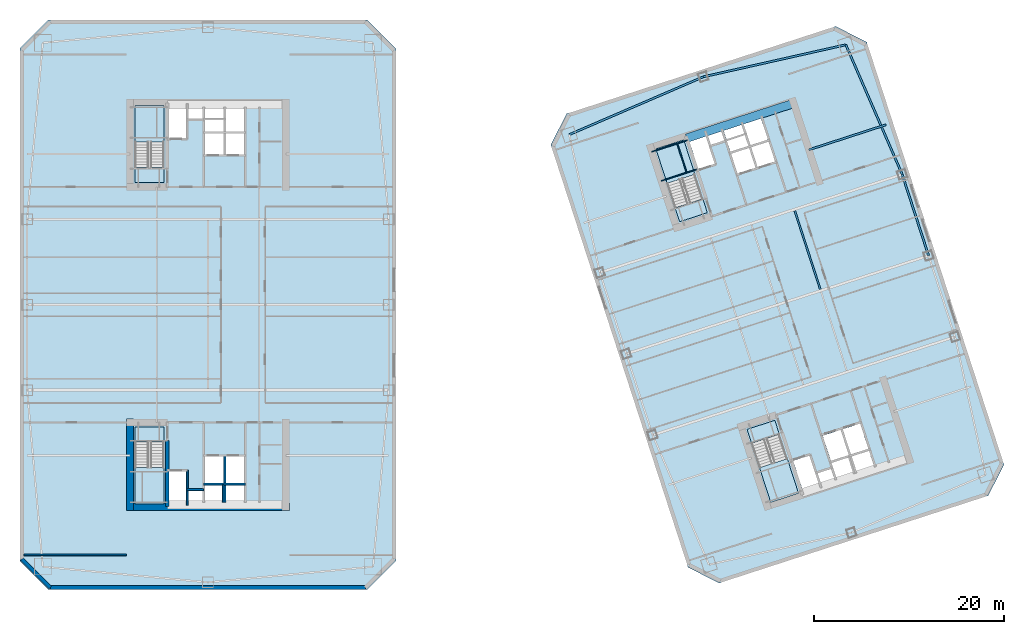
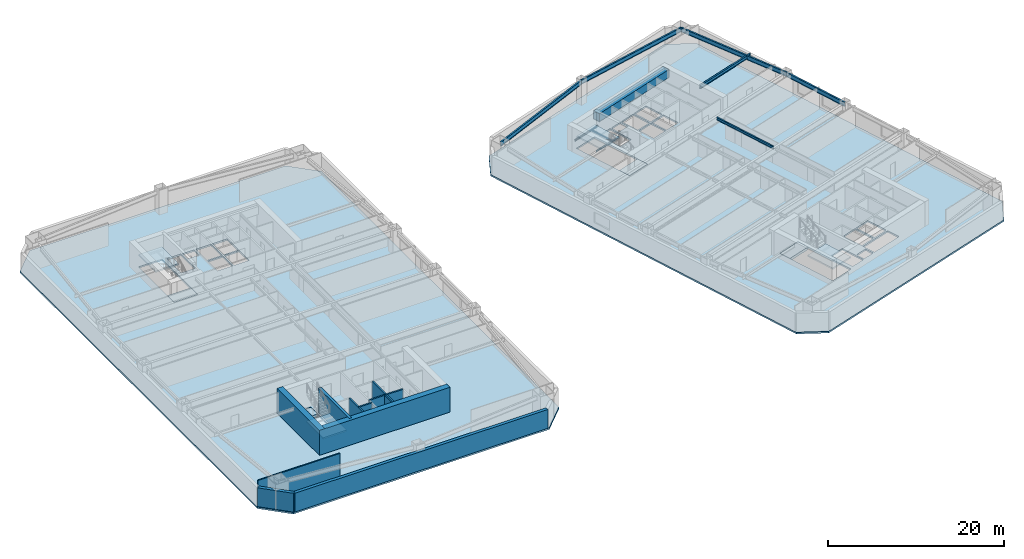
# One storey, part 4 of 13: 11 walls, 10 beams, 10 slabs, 4 elements without a shape of their own.
"""IFC4 building model written with IfcOpenShell, lengths in metres."""

from ifc_helpers import new_model, si_unit, direction, frame, frame_2d, origin, origin_2d, place, context, subcontext, project, spatial, polyline, rectangle, i_section, outline, extrude, material, layer, layer_set, material_profile, profile_set, type_object, element, aggregate, save


model = new_model("IFC4")

# Units and contexts
model_context = context("Model", 3, precision=1e-05, world=origin(), true_north=direction((0.0, 1.0)))
body_context = subcontext(model_context, "Body", "Model", "MODEL_VIEW")
ifc_project = project(units=[si_unit("LENGTHUNIT", "METRE"), si_unit("AREAUNIT", "SQUARE_METRE"), si_unit("VOLUMEUNIT", "CUBIC_METRE"), si_unit("PLANEANGLEUNIT", "RADIAN"), si_unit("MASSUNIT", "GRAM", prefix="KILO")], contexts=[model_context])

# Site, building, storey
site_placement = place(None, origin())
site = spatial("IfcSite", under=ifc_project, at=site_placement, CompositionType="ELEMENT")
building_placement = place(site_placement, origin())
building = spatial("IfcBuilding", under=site, at=building_placement, Name="Qiaolan Cultural Towers", CompositionType="ELEMENT")
storey_placement = place(building_placement, frame((0.0, 0.0, 85.10009765625)))
storey = spatial("IfcBuildingStorey", under=building, at=storey_placement, Name="L21", CompositionType="ELEMENT", Elevation=85.10009765625)

# Beams
ifc_material_1 = material(Name="Steel Q355B", Category="steel")
ifc_material_profile_1 = material_profile(ifc_material_1, i_section(OverallWidth=0.175048828125, OverallDepth=0.35009765625, WebThickness=0.007080078125, FlangeThickness=0.010986328125, at=origin_2d()), Name="HN350x175x7x11")
ifc_profile_set_1 = profile_set([ifc_material_profile_1], Name="Steel Q355B")
beam_type_1 = type_object("IfcBeamType", Name="BM-JST-HN350x175x7x11", PredefinedType="JOIST", material=ifc_profile_set_1)
beam_1_placement = place(storey_placement, frame((94.518798828125, 35.6259765625, 3.014892578125), z_axis=(-0.309020714809, 0.951055307445, 0.0), x_axis=(-0.951055307445, -0.309020714809, 0.0)))
element("IfcBeam", 1, at=beam_1_placement, inside=storey, type_object=beam_type_1, Name="L21 T2 Secondary Floor Joist U3-3", PredefinedType="JOIST", context=body_context, shape_type="SweptSolid", body=[
    extrude(i_section(OverallWidth=0.175048828125, OverallDepth=0.35009765625, WebThickness=0.007080078125, FlangeThickness=0.010986328125, at=origin_2d()), origin(), (0.0, 0.0, 1.0), 8.699951171875),
])
ifc_material_2 = material(Name="Steel Q355B", Category="steel")
ifc_material_profile_2 = material_profile(ifc_material_2, i_section(OverallWidth=0.199951171875, OverallDepth=0.449951171875, WebThickness=0.009033203125, FlangeThickness=0.013916015625, at=origin_2d()), Name="HN450x200x9x14")
ifc_profile_set_2 = profile_set([ifc_material_profile_2], Name="Steel Q355B")
beam_type_2 = type_object("IfcBeamType", Name="BM-LNT-HN450x200x9x14", PredefinedType="LINTEL", material=ifc_profile_set_2)
beam_2_placement = place(storey_placement, frame((93.31787109375, 50.32421875, 2.96484375), z_axis=(0.951057358187, 0.309014403287, 0.0), x_axis=(-0.309014403287, 0.951057358187, 0.0)))
element("IfcBeam", 2, at=beam_2_placement, inside=storey, type_object=beam_type_2, Name="L21 T2 Core Flank Tie Lintel EN", PredefinedType="LINTEL", context=body_context, shape_type="SweptSolid", body=[
    extrude(i_section(OverallWidth=0.199951171875, OverallDepth=0.449951171875, WebThickness=0.009033203125, FlangeThickness=0.013916015625, at=origin_2d()), origin(), (0.0, 0.0, 1.0), 8.550048828125),
])
ifc_material_3 = material(Name="Concrete C50", Category="concrete")
ifc_material_profile_3 = material_profile(ifc_material_3, rectangle(XDim=0.89990234375, YDim=1.10009765625, at=origin_2d()), Name="RC900x1100")
ifc_profile_set_3 = profile_set([ifc_material_profile_3], Name="Concrete C50")
beam_type_3 = type_object("IfcBeamType", Name="BM-RC900x1100", PredefinedType="BEAM", material=ifc_profile_set_3)
beam_3_placement = place(storey_placement, frame((80.427978515625, 51.551025390625, 2.639892578125), z_axis=(0.951056266386, 0.309017763514, 0.0), x_axis=(-0.309017763514, 0.951056266386, 0.0)))
element("IfcBeam", 3, at=beam_3_placement, inside=storey, type_object=beam_type_3, Name="L21 T2 Core Header Girder N", PredefinedType="BEAM", context=body_context, shape_type="SweptSolid", body=[
    extrude(rectangle(XDim=0.89990234375, YDim=1.10009765625, at=origin_2d()), origin(), (0.0, 0.0, 1.0), 11.880126953125),
])
ifc_material_4 = material(Name="Steel Q355B", Category="steel")
ifc_material_profile_4 = material_profile(ifc_material_4, i_section(OverallWidth=0.199951171875, OverallDepth=0.60009765625, WebThickness=0.010986328125, FlangeThickness=0.01708984375, at=origin_2d()), Name="HN600x200x11x17")
ifc_profile_set_4 = profile_set([ifc_material_profile_4], Name="Steel Q355B")
beam_type_4 = type_object("IfcBeamType", Name="BM-SPD-HN600x200x11x17", PredefinedType="SPANDREL", material=ifc_profile_set_4)
beam_4_placement = place(storey_placement, frame((105.93017578125, 39.176025390625, 2.889892578125), z_axis=(-0.309024734286, 0.951054001411, 0.0), x_axis=(-0.951054001411, -0.309024734286, 0.0)))
element("IfcBeam", 4, at=beam_4_placement, inside=storey, type_object=beam_type_4, Name="L21 T2 Perimeter Spandrel Beam 5", PredefinedType="SPANDREL", context=body_context, shape_type="SweptSolid", body=[
    extrude(i_section(OverallWidth=0.199951171875, OverallDepth=0.60009765625, WebThickness=0.010986328125, FlangeThickness=0.01708984375, at=origin_2d()), origin(), (0.0, 0.0, 1.0), 9.0),
])
beam_5_placement = place(storey_placement, frame((103.14892578125, 47.735595703125, 2.889892578125), z_axis=(-0.398920370799, 0.916985571185, 0.0), x_axis=(-0.916985571185, -0.398920370799, 0.0)))
element("IfcBeam", 5, at=beam_5_placement, inside=storey, type_object=beam_type_4, Name="L21 T2 Perimeter Spandrel Beam 6", PredefinedType="SPANDREL", context=body_context, shape_type="SweptSolid", body=[
    extrude(i_section(OverallWidth=0.199951171875, OverallDepth=0.60009765625, WebThickness=0.010986328125, FlangeThickness=0.01708984375, at=origin_2d()), origin(), (0.0, 0.0, 1.0), 14.888916015625),
])
beam_6_placement = place(storey_placement, frame((97.20947265625, 61.388427734375, 2.889892578125), z_axis=(-0.975658154374, -0.219296980836, 0.0), x_axis=(0.219296980836, -0.975658154374, 0.0)))
element("IfcBeam", 6, at=beam_6_placement, inside=storey, type_object=beam_type_4, Name="L21 T2 Perimeter Spandrel Beam 7", PredefinedType="SPANDREL", context=body_context, shape_type="SweptSolid", body=[
    extrude(i_section(OverallWidth=0.199951171875, OverallDepth=0.60009765625, WebThickness=0.010986328125, FlangeThickness=0.01708984375, at=origin_2d()), origin(), (0.0, 0.0, 1.0), 15.38671875),
])
beam_7_placement = place(storey_placement, frame((82.197265625, 58.01416015625, 2.889892578125), z_axis=(-0.918217549337, -0.396076422032, 0.0), x_axis=(0.396076422032, -0.918217549337, 0.0)))
element("IfcBeam", 7, at=beam_7_placement, inside=storey, type_object=beam_type_4, Name="L21 T2 Perimeter Spandrel Beam 8", PredefinedType="SPANDREL", context=body_context, shape_type="SweptSolid", body=[
    extrude(i_section(OverallWidth=0.199951171875, OverallDepth=0.60009765625, WebThickness=0.010986328125, FlangeThickness=0.01708984375, at=origin_2d()), origin(), (0.0, 0.0, 1.0), 15.386474609375),
])
ifc_material_5 = material(Name="Steel Q355B", Category="steel")
ifc_material_profile_5 = material_profile(ifc_material_5, i_section(OverallWidth=0.10009765625, OverallDepth=0.199951171875, WebThickness=0.005615234375, FlangeThickness=0.008056640625, at=origin_2d()), Name="HN200x100x5.5x8")
ifc_profile_set_5 = profile_set([ifc_material_profile_5], Name="Steel Q355B")
beam_type_5 = type_object("IfcBeamType", Name="BM-STTRIM-200", PredefinedType="BEAM", material=ifc_profile_set_5)
for number, where, z_axis, x_axis, name in (
    (8, (77.769287109375, 47.0478515625, 1.4248046875), (0.951053746643, 0.309025518358, 0.0), (-0.309025518358, 0.951053746643, 0.0), "L21 ST-E2 Stair Landing Support Beam 1-1"),
    (9, (76.770751953125, 50.12109375, 1.4248046875), (0.951072048947, 0.3089691857, 0.0), (-0.3089691857, 0.951072048947, 0.0), "L21 ST-E2 Stair Landing Support Beam 1-2"),
):
    element("IfcBeam", number, at=place(storey_placement, frame(where, z_axis=z_axis, x_axis=x_axis)), inside=storey, type_object=beam_type_5, Name=name, PredefinedType="BEAM", context=body_context, shape_type="SweptSolid", body=[
        extrude(i_section(OverallWidth=0.10009765625, OverallDepth=0.199951171875, WebThickness=0.005615234375, FlangeThickness=0.008056640625, at=origin_2d()), origin(), (0.0, 0.0, 1.0), 3.920166015625),
    ])
beam_8_placement = place(storey_placement, frame((80.44189453125, 47.916259765625, 1.4248046875), z_axis=(-0.309033108495, 0.951051280349, 0.0), x_axis=(-0.951051280349, -0.309033108495, 0.0)))
element("IfcBeam", 10, at=beam_8_placement, inside=storey, type_object=beam_type_5, Name="L21 ST-E2 Stair Landing Trimmer 1", PredefinedType="BEAM", context=body_context, shape_type="SweptSolid", body=[
    extrude(i_section(OverallWidth=0.10009765625, OverallDepth=0.199951171875, WebThickness=0.005615234375, FlangeThickness=0.008056640625, at=origin_2d()), origin(), (0.0, 0.0, 1.0), 3.231201171875),
])

# Stair, slab
ifc_material_6 = material(Name="Concrete C45", Category="concrete")
stair_type = type_object("IfcStairType", Name="STR-CORE-1500", PredefinedType="HALF_TURN_STAIR", material=ifc_material_6)
stair_1_placement = place(storey_placement, origin())
stair_1 = element("IfcStair", 11, at=stair_1_placement, inside=storey, type_object=stair_type, Name="L21 Smokeproof Exit Stair ST-W1", PredefinedType="HALF_TURN_STAIR")
ifc_material_7 = material(Name="Concrete C45", Category="concrete")
ifc_layer_1 = layer(ifc_material_7, 0.199951171875)
ifc_layer_set_1 = layer_set([ifc_layer_1], Name="Concrete C45")
slab_type_1 = type_object("IfcSlabType", Name="SL-STAIR-LAND", PredefinedType="LANDING", material=ifc_layer_set_1)
slab_1_placement = place(storey_placement, frame((0.0, 0.0, 1.52490234375)))
slab_1 = element("IfcSlab", 12, at=slab_1_placement, type_object=slab_type_1, Name="ST-W1 landing 1", PredefinedType="LANDING", context=body_context, shape_type="SweptSolid", body=[
    extrude(outline(polyline([(22.300048828125, 16.851318359375), (22.300048828125, 13.0), (25.3798828125, 13.0), (25.3798828125, 16.851318359375), (22.300048828125, 16.851318359375)])), origin(), (0.0, 0.0, 1.0), 0.199951171875),
])
aggregate(stair_1, [slab_1])

stair_2_placement = place(storey_placement, origin())
stair_2 = element("IfcStair", 13, at=stair_2_placement, inside=storey, type_object=stair_type, Name="L21 Smokeproof Exit Stair ST-W2", PredefinedType="HALF_TURN_STAIR")
slab_2_placement = place(storey_placement, frame((0.0, 0.0, 1.52490234375)))
slab_2 = element("IfcSlab", 14, at=slab_2_placement, type_object=slab_type_1, Name="ST-W2 landing 1", PredefinedType="LANDING", context=body_context, shape_type="SweptSolid", body=[
    extrude(outline(polyline([(25.3798828125, 51.148681640625), (25.3798828125, 55.0), (22.300048828125, 55.0), (22.300048828125, 51.148681640625), (25.3798828125, 51.148681640625)])), origin(), (0.0, 0.0, 1.0), 0.199951171875),
])
aggregate(stair_2, [slab_2])

stair_3_placement = place(storey_placement, origin())
stair_3 = element("IfcStair", 15, at=stair_3_placement, inside=storey, type_object=stair_type, Name="L21 Smokeproof Exit Stair ST-E1", PredefinedType="HALF_TURN_STAIR")
slab_3_placement = place(storey_placement, frame((0.0, 0.0, 1.52490234375)))
slab_3 = element("IfcSlab", 16, at=slab_3_placement, type_object=slab_type_1, Name="ST-E1 landing 1", PredefinedType="LANDING", context=body_context, shape_type="SweptSolid", body=[
    extrude(outline(polyline([(88.114013671875, 16.828125), (89.30419921875, 13.165283203125), (92.2333984375, 14.116943359375), (91.04345703125, 17.77978515625), (88.114013671875, 16.828125)])), origin(), (0.0, 0.0, 1.0), 0.199951171875),
])
aggregate(stair_3, [slab_3])

stair_4_placement = place(storey_placement, origin())
stair_4 = element("IfcStair", 17, at=stair_4_placement, inside=storey, type_object=stair_type, Name="L21 Smokeproof Exit Stair ST-E2", PredefinedType="HALF_TURN_STAIR")
slab_4_placement = place(storey_placement, frame((0.0, 0.0, 1.52490234375)))
slab_4 = element("IfcSlab", 18, at=slab_4_placement, type_object=slab_type_1, Name="ST-E2 landing 1", PredefinedType="LANDING", context=body_context, shape_type="SweptSolid", body=[
    extrude(outline(polyline([(81.31005859375, 47.735595703125), (80.1201171875, 51.3984375), (77.190673828125, 50.44677734375), (78.380859375, 46.783935546875), (81.31005859375, 47.735595703125)])), origin(), (0.0, 0.0, 1.0), 0.199951171875),
])
aggregate(stair_4, [slab_4])

# Slabs
ifc_material_8 = material(Name="Concrete C40", Category="concrete")
ifc_layer_2 = layer(ifc_material_8, 0.360107421875)
ifc_layer_set_2 = layer_set([ifc_layer_2], Name="Concrete C40")
slab_type_2 = type_object("IfcSlabType", Name="SL-STFLR-360", PredefinedType="LANDING", material=ifc_layer_set_2)
slab_5_placement = place(storey_placement, frame((0.0, 0.0, -0.360107421875)))
element("IfcSlab", 19, at=slab_5_placement, inside=storey, type_object=slab_type_2, Name="L21 ST-W1 Stair Floor Landing Slab", PredefinedType="LANDING", context=body_context, shape_type="SweptSolid", body=[
    extrude(outline(polyline([(22.302001953125, 21.097900390625), (22.302001953125, 19.548583984375), (25.3779296875, 19.548583984375), (25.3779296875, 21.097900390625), (22.302001953125, 21.097900390625)])), origin(), (0.0, 0.0, 1.0), 0.360107421875),
])
slab_6_placement = place(storey_placement, frame((0.0, 0.0, -0.360107421875)))
element("IfcSlab", 20, at=slab_6_placement, inside=storey, type_object=slab_type_2, Name="L21 ST-W2 Stair Floor Landing Slab", PredefinedType="LANDING", context=body_context, shape_type="SweptSolid", body=[
    extrude(outline(polyline([(25.3779296875, 46.902099609375), (25.3779296875, 48.451416015625), (22.302001953125, 48.451416015625), (22.302001953125, 46.902099609375), (25.3779296875, 46.902099609375)])), origin(), (0.0, 0.0, 1.0), 0.360107421875),
])
slab_7_placement = place(storey_placement, frame((0.0, 0.0, -0.360107421875)))
element("IfcSlab", 21, at=slab_7_placement, inside=storey, type_object=slab_type_2, Name="L21 ST-E1 Stair Floor Landing Slab", PredefinedType="LANDING", context=body_context, shape_type="SweptSolid", body=[
    extrude(outline(polyline([(86.8037109375, 20.867431640625), (87.282470703125, 19.39404296875), (90.2080078125, 20.3447265625), (89.729248046875, 21.818115234375), (86.8037109375, 20.867431640625)])), origin(), (0.0, 0.0, 1.0), 0.360107421875),
])
slab_8_placement = place(storey_placement, frame((0.0, 0.0, -0.360107421875)))
element("IfcSlab", 22, at=slab_8_placement, inside=storey, type_object=slab_type_2, Name="L21 ST-E2 Stair Floor Landing Slab", PredefinedType="LANDING", context=body_context, shape_type="SweptSolid", body=[
    extrude(outline(polyline([(82.62060546875, 43.6962890625), (82.141845703125, 45.169677734375), (79.21630859375, 44.21923828125), (79.695068359375, 42.74560546875), (82.62060546875, 43.6962890625)])), origin(), (0.0, 0.0, 1.0), 0.360107421875),
])
ifc_material_9 = material(Name="Concrete C45", Category="concrete")
ifc_layer_3 = layer(ifc_material_9, 0.219970703125)
ifc_layer_set_3 = layer_set([ifc_layer_3], Name="Concrete C45")
slab_type_3 = type_object("IfcSlabType", Name="SL-TYP-220", PredefinedType="FLOOR", material=ifc_layer_set_3)
slab_9_placement = place(storey_placement, frame((0.0, 0.0, -0.22021484375)))
element("IfcSlab", 23, at=slab_9_placement, inside=storey, type_object=slab_type_3, Name="L21 West Tower Floor Slab", PredefinedType="FLOOR", context=body_context, shape_type="SweptSolid", body=[
    extrude(outline(polyline([(13.199951171875, 4.0), (46.800048828125, 4.0), (49.800048828125, 7.0), (49.800048828125, 61.0), (46.800048828125, 64.0), (13.199951171875, 64.0), (10.199951171875, 61.0), (10.199951171875, 7.0), (13.199951171875, 4.0)]), holes=[polyline([(22.300048828125, 21.10009765625), (22.300048828125, 13.0), (25.3798828125, 13.0), (25.3798828125, 21.10009765625), (22.300048828125, 21.10009765625)]), polyline([(25.3798828125, 46.89990234375), (25.3798828125, 55.0), (22.300048828125, 55.0), (22.300048828125, 46.89990234375), (25.3798828125, 46.89990234375)]), polyline([(25.89990234375, 13.199951171875), (27.75, 13.199951171875), (27.75, 16.449951171875), (25.89990234375, 16.449951171875), (25.89990234375, 13.199951171875)]), polyline([(27.93994140625, 13.25), (29.449951171875, 13.25), (29.449951171875, 14.419921875), (27.93994140625, 14.419921875), (27.93994140625, 13.25)]), polyline([(29.679931640625, 15.199951171875), (31.679931640625, 15.199951171875), (31.679931640625, 18.0), (29.679931640625, 18.0), (29.679931640625, 15.199951171875)]), polyline([(31.8798828125, 15.199951171875), (33.820068359375, 15.199951171875), (33.820068359375, 18.0), (31.8798828125, 18.0), (31.8798828125, 15.199951171875)]), polyline([(29.679931640625, 13.25), (33.820068359375, 13.25), (33.820068359375, 14.97998046875), (29.679931640625, 14.97998046875), (29.679931640625, 13.25)]), polyline([(25.89990234375, 51.550048828125), (27.75, 51.550048828125), (27.75, 54.800048828125), (25.89990234375, 54.800048828125), (25.89990234375, 51.550048828125)]), polyline([(27.93994140625, 53.580078125), (29.449951171875, 53.580078125), (29.449951171875, 54.75), (27.93994140625, 54.75), (27.93994140625, 53.580078125)]), polyline([(29.679931640625, 49.820068359375), (31.679931640625, 49.820068359375), (31.679931640625, 52.080078125), (29.679931640625, 52.080078125), (29.679931640625, 49.820068359375)]), polyline([(31.8798828125, 49.820068359375), (33.820068359375, 49.820068359375), (33.820068359375, 52.080078125), (31.8798828125, 52.080078125), (31.8798828125, 49.820068359375)]), polyline([(29.679931640625, 52.27001953125), (31.659912109375, 52.27001953125), (31.659912109375, 54.75), (29.679931640625, 54.75), (29.679931640625, 52.27001953125)]), polyline([(31.8798828125, 52.27001953125), (33.820068359375, 52.27001953125), (33.820068359375, 54.75), (31.8798828125, 54.75), (31.8798828125, 52.27001953125)])]), origin(), (0.0, 0.0, 1.0), 0.22021484375),
])
slab_10_placement = place(storey_placement, frame((0.0, 0.0, -0.22021484375)))
element("IfcSlab", 24, at=slab_10_placement, inside=storey, type_object=slab_type_3, Name="L21 East Tower Floor Slab", PredefinedType="FLOOR", context=body_context, shape_type="SweptSolid", body=[
    extrude(outline(polyline([(83.86376953125, 4.668212890625), (112.205078125, 13.876953125), (113.87451171875, 17.153076171875), (99.41259765625, 61.66259765625), (96.13623046875, 63.331787109375), (67.794921875, 54.123046875), (66.12548828125, 50.846923828125), (80.58740234375, 6.33740234375), (83.86376953125, 4.668212890625)]), holes=[polyline([(86.80126953125, 20.868896484375), (89.30419921875, 13.165283203125), (92.2333984375, 14.116943359375), (89.73046875, 21.820556640625), (86.80126953125, 20.868896484375)]), polyline([(82.623046875, 43.69482421875), (80.1201171875, 51.3984375), (77.190673828125, 50.44677734375), (79.69384765625, 42.7431640625), (82.623046875, 43.69482421875)]), polyline([(92.666259765625, 14.468017578125), (94.42578125, 15.03955078125), (93.42138671875, 18.130615234375), (91.661865234375, 17.558837890625), (92.666259765625, 14.468017578125)]), polyline([(94.5908203125, 15.14599609375), (96.027099609375, 15.612548828125), (95.66552734375, 16.725341796875), (94.2294921875, 16.258544921875), (94.5908203125, 15.14599609375)]), polyline([(95.643310546875, 17.5380859375), (97.54541015625, 18.15625), (96.68017578125, 20.819091796875), (94.77783203125, 20.201171875), (95.643310546875, 17.5380859375)]), polyline([(97.735595703125, 18.218017578125), (99.58056640625, 18.8173828125), (98.71533203125, 21.48046875), (96.870361328125, 20.880859375), (97.735595703125, 18.218017578125)]), polyline([(96.245849609375, 15.68359375), (100.18310546875, 16.962890625), (99.6484375, 18.608154296875), (95.711181640625, 17.328857421875), (96.245849609375, 15.68359375)]), polyline([(81.6806640625, 48.278076171875), (83.440185546875, 48.849609375), (82.435791015625, 51.940673828125), (80.67626953125, 51.368896484375), (81.6806640625, 48.278076171875)]), polyline([(82.993408203125, 50.839111328125), (84.4296875, 51.3056640625), (84.068115234375, 52.41845703125), (82.632080078125, 51.95166015625), (82.993408203125, 50.839111328125)]), polyline([(85.810302734375, 47.80078125), (87.71240234375, 48.418701171875), (87.013916015625, 50.568115234375), (85.11181640625, 49.9501953125), (85.810302734375, 47.80078125)]), polyline([(87.902587890625, 48.480712890625), (89.74755859375, 49.080078125), (89.04931640625, 51.2294921875), (87.2041015625, 50.6298828125), (87.902587890625, 48.480712890625)]), polyline([(85.05322265625, 50.130859375), (86.936279296875, 50.74267578125), (86.169921875, 53.101318359375), (84.286865234375, 52.489501953125), (85.05322265625, 50.130859375)]), polyline([(87.1455078125, 50.810791015625), (88.990478515625, 51.41015625), (88.22412109375, 53.768798828125), (86.379150390625, 53.169189453125), (87.1455078125, 50.810791015625)])]), origin(), (0.0, 0.0, 1.0), 0.22021484375),
])

# Walls
ifc_material_10 = material(Name="Concrete C50", Category="concrete")
ifc_layer_4 = layer(ifc_material_10, 0.35009765625)
ifc_layer_set_4 = layer_set([ifc_layer_4], Name="Concrete C50")
wall_type_1 = type_object("IfcWallType", Name="WL-CORE-350", PredefinedType="SHEAR", material=ifc_layer_set_4)
wall_1_placement = place(storey_placement, frame((25.719970703125, 19.699951171875, 0.0), z_axis=(0.0, 0.0, 1.0), x_axis=(0.0, -1.0, 0.0)))
element("IfcWall", 25, at=wall_1_placement, inside=storey, type_object=wall_type_1, Name="L21 T1-CS Stair Core Dividing Web", PredefinedType="SHEAR", context=body_context, shape_type="SweptSolid", body=[
    extrude(rectangle(XDim=6.97998046875, YDim=0.35009765625, at=frame_2d((3.489990234375, 0.0))), origin(), (0.0, 0.0, 1.0), 3.449951171875),
])
ifc_material_11 = material(Name="Concrete C60", Category="concrete")
ifc_layer_5 = layer(ifc_material_11, 0.75)
ifc_layer_set_5 = layer_set([ifc_layer_5], Name="Concrete C60")
wall_type_2 = type_object("IfcWallType", Name="WL-CORE-750", PredefinedType="SHEAR", material=ifc_layer_set_5)
wall_2_placement = place(storey_placement, frame((21.425048828125, 12.719970703125, 0.0), z_axis=(0.0, 0.0, 1.0), x_axis=(1.0, 0.0, 0.0)))
element("IfcWall", 26, at=wall_2_placement, inside=storey, type_object=wall_type_2, Name="L21 T1-CS Outer Core Shear Wall", PredefinedType="SHEAR", context=body_context, shape_type="SweptSolid", body=[
    extrude(rectangle(XDim=17.14990234375, YDim=0.75, at=frame_2d((8.574951171875, 0.0))), origin(), (0.0, 0.0, 1.0), 3.449951171875),
])
wall_3_placement = place(storey_placement, frame((21.800048828125, 21.97509765625, 0.0), z_axis=(0.0, 0.0, 1.0), x_axis=(0.0, -1.0, 0.0)))
element("IfcWall", 27, at=wall_3_placement, inside=storey, type_object=wall_type_2, Name="L21 T1-CS West Core Shear Wall", PredefinedType="SHEAR", context=body_context, shape_type="SweptSolid", body=[
    extrude(rectangle(XDim=9.630126953125, YDim=0.75, at=frame_2d((4.81494140625, 0.0))), origin(), (0.0, 0.0, 1.0), 3.449951171875),
])
ifc_material_12 = material(Name="Precast Concrete C50 Honed Stone Pier", Category="masonry")
ifc_layer_6 = layer(ifc_material_12, 0.39990234375)
ifc_layer_set_6 = layer_set([ifc_layer_6], Name="Precast Concrete C50 Honed Stone Pier")
wall_type_3 = type_object("IfcWallType", Name="WL-EXT-PIER-400", PredefinedType="SOLIDWALL", material=ifc_layer_set_6)
wall_4_placement = place(storey_placement, frame((46.60009765625, 4.199951171875, 0.0), z_axis=(0.0, 0.0, 1.0), x_axis=(-1.0, 0.0, 0.0)))
element("IfcWall", 28, at=wall_4_placement, inside=storey, type_object=wall_type_3, Name="L21 West Tower Precast Pier Facade Wall F7", PredefinedType="SOLIDWALL", context=body_context, shape_type="SweptSolid", body=[
    extrude(rectangle(XDim=33.2001953125, YDim=0.39990234375, at=frame_2d((16.60009765625, 0.0))), origin(), (0.0, 0.0, 1.0), 2.60986328125),
])
wall_5_placement = place(storey_placement, frame((13.39990234375, 4.199951171875, 0.0), z_axis=(0.0, 0.0, 1.0), x_axis=(-0.707106781187, 0.707106781187, 0.0)))
element("IfcWall", 29, at=wall_5_placement, inside=storey, type_object=wall_type_3, Name="L21 West Tower Precast Pier Facade Wall F8", PredefinedType="SOLIDWALL", context=body_context, shape_type="SweptSolid", body=[
    extrude(rectangle(XDim=4.24267578125, YDim=0.39990234375, at=frame_2d((2.121337890625, 0.0))), origin(), (0.0, 0.0, 1.0), 2.60986328125),
])
ifc_material_13 = material(Name="Concrete C35 Fire Wall", Category="concrete")
ifc_layer_7 = layer(ifc_material_13, 0.199951171875)
ifc_layer_set_7 = layer_set([ifc_layer_7], Name="Concrete C35 Fire Wall")
wall_type_4 = type_object("IfcWallType", Name="WL-FIRE-200", PredefinedType="PARTITIONING", material=ifc_layer_set_7)
wall_6_placement = place(storey_placement, frame((27.820068359375, 16.550048828125, 0.0), z_axis=(0.0, 0.0, 1.0), x_axis=(0.0, -1.0, 0.0)))
element("IfcWall", 30, at=wall_6_placement, inside=storey, type_object=wall_type_4, Name="L21 T1-CS Firefighting Hoistway East Wall", PredefinedType="PARTITIONING", context=body_context, shape_type="SweptSolid", body=[
    extrude(rectangle(XDim=3.699951171875, YDim=0.199951171875, at=frame_2d((1.85009765625, 0.0))), origin(), (0.0, 0.0, 1.0), 3.1748046875),
])
wall_7_placement = place(storey_placement, frame((27.820068359375, 14.52001953125, 0.0), z_axis=(0.0, 0.0, 1.0), x_axis=(1.0, 0.0, 0.0)))
element("IfcWall", 31, at=wall_7_placement, inside=storey, type_object=wall_type_4, Name="L21 T1-CS Pressurization Shaft Front Wall", PredefinedType="PARTITIONING", context=body_context, shape_type="SweptSolid", body=[
    extrude(rectangle(XDim=1.72998046875, YDim=0.199951171875, at=frame_2d((0.864990234375, 0.0))), origin(), (0.0, 0.0, 1.0), 3.1748046875),
])
wall_8_placement = place(storey_placement, frame((31.780029296875, 18.1201171875, 0.0), z_axis=(0.0, 0.0, 1.0), x_axis=(0.0, -1.0, 0.0)))
element("IfcWall", 32, at=wall_8_placement, inside=storey, type_object=wall_type_4, Name="L21 T1-CS Lift Shaft Divider Wall", PredefinedType="PARTITIONING", context=body_context, shape_type="SweptSolid", body=[
    extrude(rectangle(XDim=4.9501953125, YDim=0.199951171875, at=frame_2d((2.47509765625, 0.0))), origin(), (0.0, 0.0, 1.0), 3.1748046875),
])
wall_9_placement = place(storey_placement, frame((29.550048828125, 15.10009765625, 0.0), z_axis=(0.0, 0.0, 1.0), x_axis=(1.0, 0.0, 0.0)))
element("IfcWall", 33, at=wall_9_placement, inside=storey, type_object=wall_type_4, Name="L21 T1-CS Passenger Lift Shaft Back Wall", PredefinedType="PARTITIONING", context=body_context, shape_type="SweptSolid", body=[
    extrude(rectangle(XDim=4.39990234375, YDim=0.199951171875, at=frame_2d((2.199951171875, 0.0))), origin(), (0.0, 0.0, 1.0), 3.1748046875),
])
ifc_material_14 = material(Name="Autoclaved Aerated Concrete Block B06", Category="concrete")
ifc_layer_8 = layer(ifc_material_14, 0.14990234375)
ifc_layer_set_8 = layer_set([ifc_layer_8], Name="Autoclaved Aerated Concrete Block B06")
wall_type_5 = type_object("IfcWallType", Name="WL-PART-150", PredefinedType="PARTITIONING", material=ifc_layer_set_8)
wall_10_placement = place(storey_placement, frame((31.60009765625, 15.050048828125, 0.0), z_axis=(0.0, 0.0, 1.0), x_axis=(0.0, -1.0, 0.0)))
element("IfcWall", 34, at=wall_10_placement, inside=storey, type_object=wall_type_5, Name="L21 T1-CS Core Rear Split Wall", PredefinedType="PARTITIONING", context=body_context, shape_type="SweptSolid", body=[
    extrude(rectangle(XDim=1.880126953125, YDim=0.14990234375, at=frame_2d((0.93994140625, 0.0))), origin(), (0.0, 0.0, 1.0), 3.1748046875),
])
wall_11_placement = place(storey_placement, frame((10.60009765625, 7.64990234375, 0.0), z_axis=(0.0, 0.0, 1.0), x_axis=(1.0, 0.0, 0.0)))
element("IfcWall", 35, at=wall_11_placement, inside=storey, type_object=wall_type_5, Name="L21 T1 Flank Wall FLK-SW", PredefinedType="PARTITIONING", context=body_context, shape_type="SweptSolid", body=[
    extrude(rectangle(XDim=10.7998046875, YDim=0.14990234375, at=frame_2d((5.39990234375, 0.0))), origin(), (0.0, 0.0, 1.0), 3.1748046875),
])

save(model, "model.ifc")
